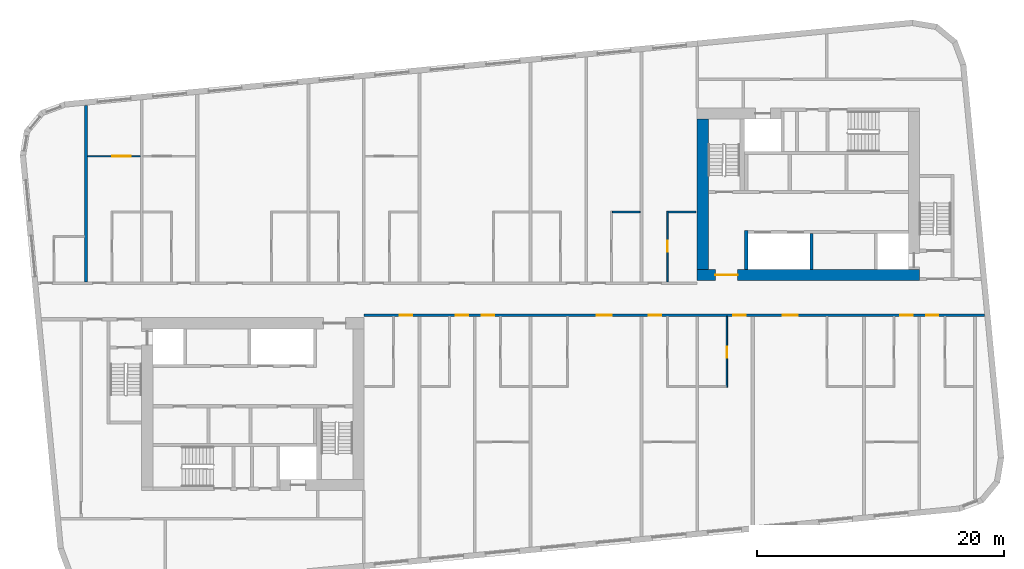
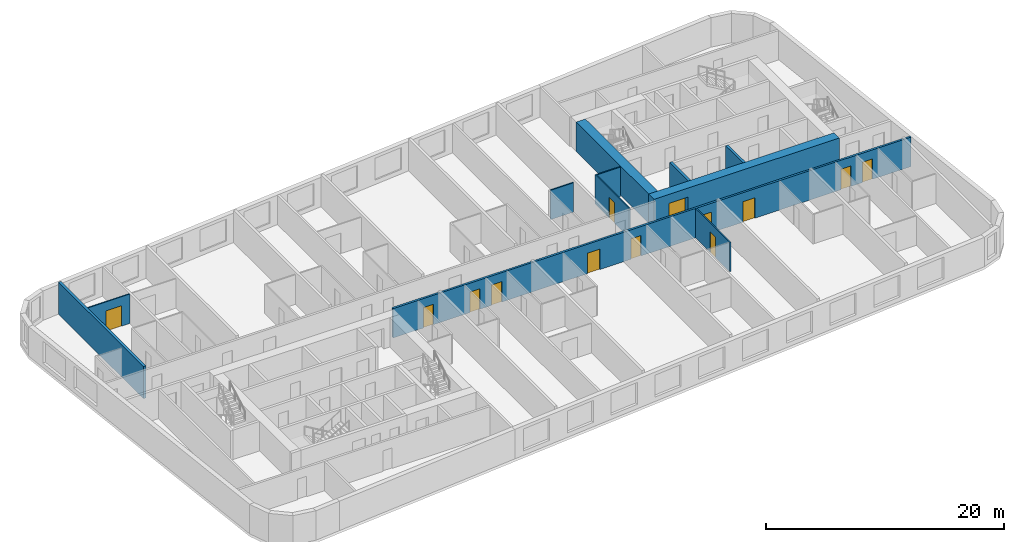
# One storey, part 5 of 12: 13 doors, 11 walls, 13 openings.
"""IFC4 building model written with IfcOpenShell, lengths in metres."""

from ifc_helpers import new_model, si_unit, direction, frame, frame_2d, origin, place, context, subcontext, project, spatial, rectangle, extrude, material, layer, layer_set, type_object, element, fill, save


model = new_model("IFC4")

# Units and contexts
model_context = context("Model", 3, precision=1e-05, world=origin(), true_north=direction((0.0, 1.0)))
body_context = subcontext(model_context, "Body", "Model", "MODEL_VIEW")
ifc_project = project(units=[si_unit("LENGTHUNIT", "METRE"), si_unit("AREAUNIT", "SQUARE_METRE"), si_unit("VOLUMEUNIT", "CUBIC_METRE"), si_unit("PLANEANGLEUNIT", "RADIAN"), si_unit("MASSUNIT", "GRAM", prefix="KILO")], contexts=[model_context])

# Site, building, storey
site_placement = place(None, origin())
site = spatial("IfcSite", under=ifc_project, at=site_placement, CompositionType="ELEMENT")
building_placement = place(site_placement, origin())
building = spatial("IfcBuilding", under=site, at=building_placement, Name="Kajstack Hotel Tower", CompositionType="ELEMENT")
storey_placement = place(building_placement, frame((0.0, 0.0, 294.89990234375)))
storey = spatial("IfcBuildingStorey", under=building, at=storey_placement, Name="L74", CompositionType="ELEMENT", Elevation=294.89990234375)

# Wall, opening, door
ifc_material_1 = material(Name="Concrete C60/75", Category="concrete")
ifc_layer_1 = layer(ifc_material_1, 0.89990234375)
ifc_layer_set_1 = layer_set([ifc_layer_1], Name="Core wall 900")
wall_type_1 = type_object("IfcWallType", Name="Core wall 900", PredefinedType="SHEAR", material=ifc_layer_set_1)
wall_1_placement = place(storey_placement, frame((13.5, 1.949951171875, 0.0), z_axis=(0.0, 0.0, 1.0), x_axis=(1.0, 0.0, 0.0)))
wall_1 = element("IfcWall", 1, at=wall_1_placement, inside=storey, type_object=wall_type_1, Name="Core wall E RN", PredefinedType="SHEAR", context=body_context, shape_type="SweptSolid", body=[
    extrude(rectangle(XDim=18.0, YDim=0.89990234375, at=frame_2d((9.0, 0.0))), origin(), (0.0, 0.0, 1.0), 3.02001953125),
])
opening_1_placement = place(wall_1_placement, frame((1.47509765625, 0.0, 0.0)))
opening_1 = element("IfcOpeningElement", 2, at=opening_1_placement, cuts=wall_1, Name="Opening 74E05", PredefinedType="OPENING", context=body_context, shape_type="SweptSolid", body=[
    extrude(rectangle(XDim=1.800048828125, YDim=2.10009765625, at=frame_2d((0.89990234375, 1.050048828125))), frame((0.0, 0.4599609375, 0.0), z_axis=(0.0, -1.0, 0.0), x_axis=(1.0, 0.0, 0.0)), (0.0, 0.0, 1.0), 0.919921875),
])
ifc_material_2 = material(Name="Glazed steel frame, fire-rated glass", Category="steel")
door_type_1 = type_object("IfcDoorType", Name="Lobby double door 1800", OperationType="DOUBLE_DOOR_DOUBLE_SWING", PredefinedType="DOOR", material=ifc_material_2)
door_1_placement = place(opening_1_placement, origin())
door_1 = element("IfcDoor", 3, at=door_1_placement, inside=storey, type_object=door_type_1, Name="Door 74E05", OperationType="DOUBLE_DOOR_DOUBLE_SWING", OverallHeight=2.10009765625, OverallWidth=1.800048828125, PredefinedType="DOOR", context=body_context, shape_type="SweptSolid", body=[
    extrude(rectangle(XDim=1.800048828125, YDim=2.10009765625, at=frame_2d((0.89990234375, 1.050048828125))), frame((0.0, 0.02490234375, 0.0), z_axis=(0.0, -1.0, 0.0), x_axis=(1.0, 0.0, 0.0)), (0.0, 0.0, 1.0), 0.050048828125),
])
fill(opening_1, door_1)

# Wall
wall_2_placement = place(storey_placement, frame((13.949951171875, 2.39990234375, 0.0), z_axis=(0.0, 0.0, 1.0), x_axis=(0.0, 1.0, 0.0)))
element("IfcWall", 4, at=wall_2_placement, inside=storey, type_object=wall_type_1, Name="Core wall E RE", PredefinedType="SHEAR", context=body_context, shape_type="SweptSolid", body=[
    extrude(rectangle(XDim=12.2001953125, YDim=0.89990234375, at=frame_2d((6.10009765625, 0.0))), origin(), (0.0, 0.0, 1.0), 3.02001953125),
])

# Wall, openings, doors
ifc_material_3 = material(Name="Gypsum board on steel studs, mineral wool", Category="steel")
ifc_layer_2 = layer(ifc_material_3, 0.199951171875)
ifc_layer_set_2 = layer_set([ifc_layer_2], Name="Corridor wall 200")
wall_type_2 = type_object("IfcWallType", Name="Corridor wall 200", PredefinedType="PARTITIONING", material=ifc_layer_set_2)
wall_3_placement = place(storey_placement, frame((-13.5, -1.300048828125, 0.0), z_axis=(0.0, 0.0, 1.0), x_axis=(1.0, 0.0, 0.0)))
wall_3 = element("IfcWall", 5, at=wall_3_placement, inside=storey, type_object=wall_type_2, Name="G-wall-L74-030", PredefinedType="PARTITIONING", context=body_context, shape_type="SweptSolid", body=[
    extrude(rectangle(XDim=50.29296875, YDim=0.199951171875, at=frame_2d((25.146484375, 0.0))), origin(), (0.0, 0.0, 1.0), 3.02001953125),
])
opening_2_placement = place(wall_3_placement, frame((2.925048828125, 0.0, 0.0)))
opening_2 = element("IfcOpeningElement", 6, at=opening_2_placement, cuts=wall_3, Name="Opening 74024", PredefinedType="OPENING", context=body_context, shape_type="SweptSolid", body=[
    extrude(rectangle(XDim=1.0, YDim=2.10009765625, at=frame_2d((0.5, 1.050048828125))), frame((0.0, 0.10986328125, 0.0), z_axis=(0.0, -1.0, 0.0), x_axis=(1.0, 0.0, 0.0)), (0.0, 0.0, 1.0), 0.219970703125),
])
opening_3_placement = place(wall_3_placement, frame((7.449951171875, 0.0, 0.0)))
opening_3 = element("IfcOpeningElement", 7, at=opening_3_placement, cuts=wall_3, Name="Opening 74026", PredefinedType="OPENING", context=body_context, shape_type="SweptSolid", body=[
    extrude(rectangle(XDim=1.0, YDim=2.10009765625, at=frame_2d((0.5, 1.050048828125))), frame((0.0, 0.10986328125, 0.0), z_axis=(0.0, -1.0, 0.0), x_axis=(1.0, 0.0, 0.0)), (0.0, 0.0, 1.0), 0.219970703125),
])
opening_4_placement = place(wall_3_placement, frame((9.550048828125, 0.0, 0.0)))
opening_4 = element("IfcOpeningElement", 8, at=opening_4_placement, cuts=wall_3, Name="Opening 74028", PredefinedType="OPENING", context=body_context, shape_type="SweptSolid", body=[
    extrude(rectangle(XDim=1.0, YDim=2.10009765625, at=frame_2d((0.5, 1.050048828125))), frame((0.0, 0.10986328125, 0.0), z_axis=(0.0, -1.0, 0.0), x_axis=(1.0, 0.0, 0.0)), (0.0, 0.0, 1.0), 0.219970703125),
])
opening_5_placement = place(wall_3_placement, frame((18.862060546875, 0.0, 0.0)))
opening_5 = element("IfcOpeningElement", 9, at=opening_5_placement, cuts=wall_3, Name="Opening 74031", PredefinedType="OPENING", context=body_context, shape_type="SweptSolid", body=[
    extrude(rectangle(XDim=1.199951171875, YDim=2.10009765625, at=frame_2d((0.60009765625, 1.050048828125))), frame((0.0, 0.10986328125, 0.0), z_axis=(0.0, -1.0, 0.0), x_axis=(1.0, 0.0, 0.0)), (0.0, 0.0, 1.0), 0.219970703125),
])
opening_6_placement = place(wall_3_placement, frame((23.074951171875, 0.0, 0.0)))
opening_6 = element("IfcOpeningElement", 10, at=opening_6_placement, cuts=wall_3, Name="Opening 74033", PredefinedType="OPENING", context=body_context, shape_type="SweptSolid", body=[
    extrude(rectangle(XDim=1.0, YDim=2.10009765625, at=frame_2d((0.5, 1.050048828125))), frame((0.0, 0.10986328125, 0.0), z_axis=(0.0, -1.0, 0.0), x_axis=(1.0, 0.0, 0.0)), (0.0, 0.0, 1.0), 0.219970703125),
])
opening_7_placement = place(wall_3_placement, frame((29.925048828125, 0.0, 0.0)))
opening_7 = element("IfcOpeningElement", 11, at=opening_7_placement, cuts=wall_3, Name="Opening 74036", PredefinedType="OPENING", context=body_context, shape_type="SweptSolid", body=[
    extrude(rectangle(XDim=1.0, YDim=2.10009765625, at=frame_2d((0.5, 1.050048828125))), frame((0.0, 0.10986328125, 0.0), z_axis=(0.0, -1.0, 0.0), x_axis=(1.0, 0.0, 0.0)), (0.0, 0.0, 1.0), 0.219970703125),
])
opening_8_placement = place(wall_3_placement, frame((33.93798828125, 0.0, 0.0)))
opening_8 = element("IfcOpeningElement", 12, at=opening_8_placement, cuts=wall_3, Name="Opening 74038", PredefinedType="OPENING", context=body_context, shape_type="SweptSolid", body=[
    extrude(rectangle(XDim=1.199951171875, YDim=2.10009765625, at=frame_2d((0.60009765625, 1.050048828125))), frame((0.0, 0.10986328125, 0.0), z_axis=(0.0, -1.0, 0.0), x_axis=(1.0, 0.0, 0.0)), (0.0, 0.0, 1.0), 0.219970703125),
])
opening_9_placement = place(wall_3_placement, frame((43.449951171875, 0.0, 0.0)))
opening_9 = element("IfcOpeningElement", 13, at=opening_9_placement, cuts=wall_3, Name="Opening 74040", PredefinedType="OPENING", context=body_context, shape_type="SweptSolid", body=[
    extrude(rectangle(XDim=1.0, YDim=2.10009765625, at=frame_2d((0.5, 1.050048828125))), frame((0.0, 0.10986328125, 0.0), z_axis=(0.0, -1.0, 0.0), x_axis=(1.0, 0.0, 0.0)), (0.0, 0.0, 1.0), 0.219970703125),
])
opening_10_placement = place(wall_3_placement, frame((45.550048828125, 0.0, 0.0)))
opening_10 = element("IfcOpeningElement", 14, at=opening_10_placement, cuts=wall_3, Name="Opening 74043", PredefinedType="OPENING", context=body_context, shape_type="SweptSolid", body=[
    extrude(rectangle(XDim=1.0, YDim=2.10009765625, at=frame_2d((0.5, 1.050048828125))), frame((0.0, 0.10986328125, 0.0), z_axis=(0.0, -1.0, 0.0), x_axis=(1.0, 0.0, 0.0)), (0.0, 0.0, 1.0), 0.219970703125),
])
ifc_material_4 = material(Name="Oak veneer on timber core, fire-rated leaf", Category="wood")
door_type_2 = type_object("IfcDoorType", Name="Flat entrance door 1000", OperationType="SINGLE_SWING_LEFT", PredefinedType="DOOR", material=ifc_material_4)
door_2_placement = place(opening_2_placement, origin())
door_2 = element("IfcDoor", 15, at=door_2_placement, inside=storey, type_object=door_type_2, Name="G-door-L74-24", OperationType="SINGLE_SWING_RIGHT", OverallHeight=2.10009765625, OverallWidth=1.0, PredefinedType="DOOR", context=body_context, shape_type="SweptSolid", body=[
    extrude(rectangle(XDim=1.0, YDim=2.10009765625, at=frame_2d((0.5, 1.050048828125))), frame((0.0, 0.02490234375, 0.0), z_axis=(0.0, -1.0, 0.0), x_axis=(1.0, 0.0, 0.0)), (0.0, 0.0, 1.0), 0.050048828125),
])
fill(opening_2, door_2)
door_3_placement = place(opening_3_placement, origin())
door_3 = element("IfcDoor", 16, at=door_3_placement, inside=storey, type_object=door_type_2, Name="G-door-L74-26", OperationType="SINGLE_SWING_LEFT", OverallHeight=2.10009765625, OverallWidth=1.0, PredefinedType="DOOR", context=body_context, shape_type="SweptSolid", body=[
    extrude(rectangle(XDim=1.0, YDim=2.10009765625, at=frame_2d((0.5, 1.050048828125))), frame((0.0, 0.02490234375, 0.0), z_axis=(0.0, -1.0, 0.0), x_axis=(1.0, 0.0, 0.0)), (0.0, 0.0, 1.0), 0.050048828125),
])
fill(opening_3, door_3)
door_4_placement = place(opening_4_placement, origin())
door_4 = element("IfcDoor", 17, at=door_4_placement, inside=storey, type_object=door_type_2, Name="G-door-L74-28", OperationType="SINGLE_SWING_LEFT", OverallHeight=2.10009765625, OverallWidth=1.0, PredefinedType="DOOR", context=body_context, shape_type="SweptSolid", body=[
    extrude(rectangle(XDim=1.0, YDim=2.10009765625, at=frame_2d((0.5, 1.050048828125))), frame((0.0, 0.02490234375, 0.0), z_axis=(0.0, -1.0, 0.0), x_axis=(1.0, 0.0, 0.0)), (0.0, 0.0, 1.0), 0.050048828125),
])
fill(opening_4, door_4)
door_5_placement = place(opening_6_placement, origin())
door_5 = element("IfcDoor", 18, at=door_5_placement, inside=storey, type_object=door_type_2, Name="G-door-L74-33", OperationType="SINGLE_SWING_LEFT", OverallHeight=2.10009765625, OverallWidth=1.0, PredefinedType="DOOR", context=body_context, shape_type="SweptSolid", body=[
    extrude(rectangle(XDim=1.0, YDim=2.10009765625, at=frame_2d((0.5, 1.050048828125))), frame((0.0, 0.02490234375, 0.0), z_axis=(0.0, -1.0, 0.0), x_axis=(1.0, 0.0, 0.0)), (0.0, 0.0, 1.0), 0.050048828125),
])
fill(opening_6, door_5)
door_6_placement = place(opening_7_placement, origin())
door_6 = element("IfcDoor", 19, at=door_6_placement, inside=storey, type_object=door_type_2, Name="G-door-L74-36", OperationType="SINGLE_SWING_LEFT", OverallHeight=2.10009765625, OverallWidth=1.0, PredefinedType="DOOR", context=body_context, shape_type="SweptSolid", body=[
    extrude(rectangle(XDim=1.0, YDim=2.10009765625, at=frame_2d((0.5, 1.050048828125))), frame((0.0, 0.02490234375, 0.0), z_axis=(0.0, -1.0, 0.0), x_axis=(1.0, 0.0, 0.0)), (0.0, 0.0, 1.0), 0.050048828125),
])
fill(opening_7, door_6)
door_7_placement = place(opening_9_placement, origin())
door_7 = element("IfcDoor", 20, at=door_7_placement, inside=storey, type_object=door_type_2, Name="G-door-L74-40", OperationType="SINGLE_SWING_LEFT", OverallHeight=2.10009765625, OverallWidth=1.0, PredefinedType="DOOR", context=body_context, shape_type="SweptSolid", body=[
    extrude(rectangle(XDim=1.0, YDim=2.10009765625, at=frame_2d((0.5, 1.050048828125))), frame((0.0, 0.02490234375, 0.0), z_axis=(0.0, -1.0, 0.0), x_axis=(1.0, 0.0, 0.0)), (0.0, 0.0, 1.0), 0.050048828125),
])
fill(opening_9, door_7)
door_8_placement = place(opening_10_placement, origin())
door_8 = element("IfcDoor", 21, at=door_8_placement, inside=storey, type_object=door_type_2, Name="G-door-L74-43", OperationType="SINGLE_SWING_LEFT", OverallHeight=2.10009765625, OverallWidth=1.0, PredefinedType="DOOR", context=body_context, shape_type="SweptSolid", body=[
    extrude(rectangle(XDim=1.0, YDim=2.10009765625, at=frame_2d((0.5, 1.050048828125))), frame((0.0, 0.02490234375, 0.0), z_axis=(0.0, -1.0, 0.0), x_axis=(1.0, 0.0, 0.0)), (0.0, 0.0, 1.0), 0.050048828125),
])
fill(opening_10, door_8)
door_type_3 = type_object("IfcDoorType", Name="Flat entrance door 1200", OperationType="SINGLE_SWING_LEFT", PredefinedType="DOOR", material=ifc_material_4)
door_9_placement = place(opening_5_placement, origin())
door_9 = element("IfcDoor", 22, at=door_9_placement, inside=storey, type_object=door_type_3, Name="G-door-L74-31", OperationType="SINGLE_SWING_RIGHT", OverallHeight=2.10009765625, OverallWidth=1.199951171875, PredefinedType="DOOR", context=body_context, shape_type="SweptSolid", body=[
    extrude(rectangle(XDim=1.199951171875, YDim=2.10009765625, at=frame_2d((0.60009765625, 1.050048828125))), frame((0.0, 0.02490234375, 0.0), z_axis=(0.0, -1.0, 0.0), x_axis=(1.0, 0.0, 0.0)), (0.0, 0.0, 1.0), 0.050048828125),
])
fill(opening_5, door_9)
door_10_placement = place(opening_8_placement, origin())
door_10 = element("IfcDoor", 23, at=door_10_placement, inside=storey, type_object=door_type_3, Name="G-door-L74-38", OperationType="SINGLE_SWING_LEFT", OverallHeight=2.10009765625, OverallWidth=1.199951171875, PredefinedType="DOOR", context=body_context, shape_type="SweptSolid", body=[
    extrude(rectangle(XDim=1.199951171875, YDim=2.10009765625, at=frame_2d((0.60009765625, 1.050048828125))), frame((0.0, 0.02490234375, 0.0), z_axis=(0.0, -1.0, 0.0), x_axis=(1.0, 0.0, 0.0)), (0.0, 0.0, 1.0), 0.050048828125),
])
fill(opening_8, door_10)

# Wall
ifc_material_5 = material(Name="Gypsum board and tiled backer on steel studs", Category="steel")
ifc_layer_3 = layer(ifc_material_5, 0.125)
ifc_layer_set_3 = layer_set([ifc_layer_3], Name="En-suite wall 125")
wall_type_3 = type_object("IfcWallType", Name="En-suite wall 125", PredefinedType="PARTITIONING", material=ifc_layer_set_3)
wall_4_placement = place(storey_placement, frame((6.625, 7.06201171875, 0.0), z_axis=(0.0, 0.0, 1.0), x_axis=(1.0, 0.0, 0.0)))
element("IfcWall", 24, at=wall_4_placement, inside=storey, type_object=wall_type_3, Name="G-wall-L74-027", PredefinedType="PARTITIONING", context=body_context, shape_type="SweptSolid", body=[
    extrude(rectangle(XDim=2.25, YDim=0.125, at=frame_2d((1.125, 0.0))), origin(), (0.0, 0.0, 1.0), 3.02001953125),
])

# Wall, opening, door
wall_5_placement = place(storey_placement, frame((11.087890625, 1.39990234375, 0.0), z_axis=(0.0, 0.0, 1.0), x_axis=(0.0, 1.0, 0.0)))
wall_5 = element("IfcWall", 25, at=wall_5_placement, inside=storey, type_object=wall_type_3, Name="G-wall-L74-028", PredefinedType="PARTITIONING", context=body_context, shape_type="SweptSolid", body=[
    extrude(rectangle(XDim=5.72509765625, YDim=0.125, at=frame_2d((2.862548828125, 0.0))), origin(), (0.0, 0.0, 1.0), 3.02001953125),
])
opening_11_placement = place(wall_5_placement, frame((2.449951171875, 0.0, 0.0)))
opening_11 = element("IfcOpeningElement", 26, at=opening_11_placement, cuts=wall_5, Name="Opening 74023", PredefinedType="OPENING", context=body_context, shape_type="SweptSolid", body=[
    extrude(rectangle(XDim=0.89990234375, YDim=2.10009765625, at=frame_2d((0.449951171875, 1.050048828125))), frame((0.0, 0.072509765625, 0.0), z_axis=(0.0, -1.0, 0.0), x_axis=(1.0, 0.0, 0.0)), (0.0, 0.0, 1.0), 0.14501953125),
])
ifc_material_6 = material(Name="Painted timber door leaf", Category="wood")
door_type_4 = type_object("IfcDoorType", Name="Room door 900", OperationType="SINGLE_SWING_LEFT", PredefinedType="DOOR", material=ifc_material_6)
door_11_placement = place(opening_11_placement, origin())
door_11 = element("IfcDoor", 27, at=door_11_placement, inside=storey, type_object=door_type_4, Name="G-door-L74-23", OperationType="SINGLE_SWING_LEFT", OverallHeight=2.10009765625, OverallWidth=0.89990234375, PredefinedType="DOOR", context=body_context, shape_type="SweptSolid", body=[
    extrude(rectangle(XDim=0.89990234375, YDim=2.10009765625, at=frame_2d((0.449951171875, 1.050048828125))), frame((0.0, 0.02490234375, 0.0), z_axis=(0.0, -1.0, 0.0), x_axis=(1.0, 0.0, 0.0)), (0.0, 0.0, 1.0), 0.050048828125),
])
fill(opening_11, door_11)

# Wall
wall_6_placement = place(storey_placement, frame((11.14990234375, 7.06201171875, 0.0), z_axis=(0.0, 0.0, 1.0), x_axis=(1.0, 0.0, 0.0)))
element("IfcWall", 28, at=wall_6_placement, inside=storey, type_object=wall_type_3, Name="G-wall-L74-029", PredefinedType="PARTITIONING", context=body_context, shape_type="SweptSolid", body=[
    extrude(rectangle(XDim=2.25, YDim=0.125, at=frame_2d((1.125, 0.0))), origin(), (0.0, 0.0, 1.0), 3.02001953125),
])

# Wall, opening, door
wall_7_placement = place(storey_placement, frame((15.912109375, -7.125, 0.0), z_axis=(0.0, 0.0, 1.0), x_axis=(0.0, 1.0, 0.0)))
wall_7 = element("IfcWall", 29, at=wall_7_placement, inside=storey, type_object=wall_type_3, Name="G-wall-L74-045", PredefinedType="PARTITIONING", context=body_context, shape_type="SweptSolid", body=[
    extrude(rectangle(XDim=5.72509765625, YDim=0.125, at=frame_2d((2.862548828125, 0.0))), origin(), (0.0, 0.0, 1.0), 3.02001953125),
])
opening_12_placement = place(wall_7_placement, frame((2.375, 0.0, 0.0)))
opening_12 = element("IfcOpeningElement", 30, at=opening_12_placement, cuts=wall_7, Name="Opening 74037", PredefinedType="OPENING", context=body_context, shape_type="SweptSolid", body=[
    extrude(rectangle(XDim=0.89990234375, YDim=2.10009765625, at=frame_2d((0.449951171875, 1.050048828125))), frame((0.0, 0.072509765625, 0.0), z_axis=(0.0, -1.0, 0.0), x_axis=(1.0, 0.0, 0.0)), (0.0, 0.0, 1.0), 0.14501953125),
])
door_12_placement = place(opening_12_placement, origin())
door_12 = element("IfcDoor", 31, at=door_12_placement, inside=storey, type_object=door_type_4, Name="G-door-L74-37", OperationType="SINGLE_SWING_RIGHT", OverallHeight=2.10009765625, OverallWidth=0.89990234375, PredefinedType="DOOR", context=body_context, shape_type="SweptSolid", body=[
    extrude(rectangle(XDim=0.89990234375, YDim=2.10009765625, at=frame_2d((0.449951171875, 1.050048828125))), frame((0.0, 0.02490234375, 0.0), z_axis=(0.0, -1.0, 0.0), x_axis=(1.0, 0.0, 0.0)), (0.0, 0.0, 1.0), 0.050048828125),
])
fill(opening_12, door_12)

# Wall
ifc_material_7 = material(Name="Concrete C50/60", Category="concrete")
ifc_layer_4 = layer(ifc_material_7, 0.300048828125)
ifc_layer_set_4 = layer_set([ifc_layer_4], Name="Hoistway divider wall 300")
wall_type_4 = type_object("IfcWallType", Name="Hoistway divider wall 300", PredefinedType="SHEAR", material=ifc_layer_set_4)
wall_8_placement = place(storey_placement, frame((22.77490234375, 2.39990234375, 0.0), z_axis=(0.0, 0.0, 1.0), x_axis=(0.0, 1.0, 0.0)))
element("IfcWall", 32, at=wall_8_placement, inside=storey, type_object=wall_type_4, Name="Core wall E AP2", PredefinedType="SHEAR", context=body_context, shape_type="SweptSolid", body=[
    extrude(rectangle(XDim=2.900146484375, YDim=0.25, at=frame_2d((1.4501953125, 0.0))), origin(), (0.0, 0.0, 1.0), 3.02001953125),
])

# Wall, opening, door
ifc_material_8 = material(Name="Gypsum board on steel studs", Category="steel")
ifc_layer_5 = layer(ifc_material_8, 0.10009765625)
ifc_layer_set_5 = layer_set([ifc_layer_5], Name="Partition 100")
wall_type_5 = type_object("IfcWallType", Name="Partition 100", PredefinedType="PARTITIONING", material=ifc_layer_set_5)
wall_9_placement = place(storey_placement, frame((-35.875, 11.574951171875, 0.0), z_axis=(0.0, 0.0, 1.0), x_axis=(1.0, 0.0, 0.0)))
wall_9 = element("IfcWall", 33, at=wall_9_placement, inside=storey, type_object=wall_type_5, Name="G-wall-L74-009", PredefinedType="PARTITIONING", context=body_context, shape_type="SweptSolid", body=[
    extrude(rectangle(XDim=4.27490234375, YDim=0.10009765625, at=frame_2d((2.137451171875, 0.0))), origin(), (0.0, 0.0, 1.0), 3.02001953125),
])
opening_13_placement = place(wall_9_placement, frame((1.988037109375, 0.0, 0.0)))
opening_13 = element("IfcOpeningElement", 34, at=opening_13_placement, cuts=wall_9, Name="Opening 74005", PredefinedType="OPENING", context=body_context, shape_type="SweptSolid", body=[
    extrude(rectangle(XDim=1.5, YDim=2.10009765625, at=frame_2d((0.75, 1.050048828125))), frame((0.0, 0.06005859375, 0.0), z_axis=(0.0, -1.0, 0.0), x_axis=(1.0, 0.0, 0.0)), (0.0, 0.0, 1.0), 0.1201171875),
])
ifc_material_9 = material(Name="Painted timber door leaves, glazed panels", Category="wood")
door_type_5 = type_object("IfcDoorType", Name="Double door 1500", OperationType="SINGLE_SWING_LEFT", PredefinedType="DOOR", material=ifc_material_9)
door_13_placement = place(opening_13_placement, origin())
door_13 = element("IfcDoor", 35, at=door_13_placement, inside=storey, type_object=door_type_5, Name="G-door-L74-05", OperationType="SINGLE_SWING_LEFT", OverallHeight=2.10009765625, OverallWidth=1.5, PredefinedType="DOOR", context=body_context, shape_type="SweptSolid", body=[
    extrude(rectangle(XDim=1.5, YDim=2.10009765625, at=frame_2d((0.75, 1.050048828125))), frame((0.0, 0.02490234375, 0.0), z_axis=(0.0, -1.0, 0.0), x_axis=(1.0, 0.0, 0.0)), (0.0, 0.0, 1.0), 0.050048828125),
])
fill(opening_13, door_13)

# Walls
ifc_material_10 = material(Name="Concrete C40/50", Category="concrete")
ifc_layer_6 = layer(ifc_material_10, 0.25)
ifc_layer_set_6 = layer_set([ifc_layer_6], Name="RC cross wall 250 C40/50")
wall_type_6 = type_object("IfcWallType", Name="RC cross wall 250 C40/50", PredefinedType="SHEAR", material=ifc_layer_set_6)
wall_10_placement = place(storey_placement, frame((-36.0, 1.39990234375, 0.0), z_axis=(0.0, 0.0, 1.0), x_axis=(0.0, 1.0, 0.0)))
element("IfcWall", 36, at=wall_10_placement, inside=storey, type_object=wall_type_6, Name="S-wall-L74-01", PredefinedType="SHEAR", context=body_context, shape_type="SweptSolid", body=[
    extrude(rectangle(XDim=14.29638671875, YDim=0.25, at=frame_2d((7.148193359375, 0.0))), origin(), (0.0, 0.0, 1.0), 3.300048828125),
])
ifc_layer_7 = layer(ifc_material_7, 0.25)
ifc_layer_set_7 = layer_set([ifc_layer_7], Name="Shaft wall 250")
wall_type_7 = type_object("IfcWallType", Name="Shaft wall 250", PredefinedType="SHEAR", material=ifc_layer_set_7)
wall_11_placement = place(storey_placement, frame((17.47509765625, 2.39990234375, 0.0), z_axis=(0.0, 0.0, 1.0), x_axis=(0.0, 1.0, 0.0)))
element("IfcWall", 37, at=wall_11_placement, inside=storey, type_object=wall_type_7, Name="Core wall E AE", PredefinedType="SHEAR", context=body_context, shape_type="SweptSolid", body=[
    extrude(rectangle(XDim=3.150146484375, YDim=0.25, at=frame_2d((1.5751953125, 0.0))), origin(), (0.0, 0.0, 1.0), 3.02001953125),
])

save(model, "model.ifc")
